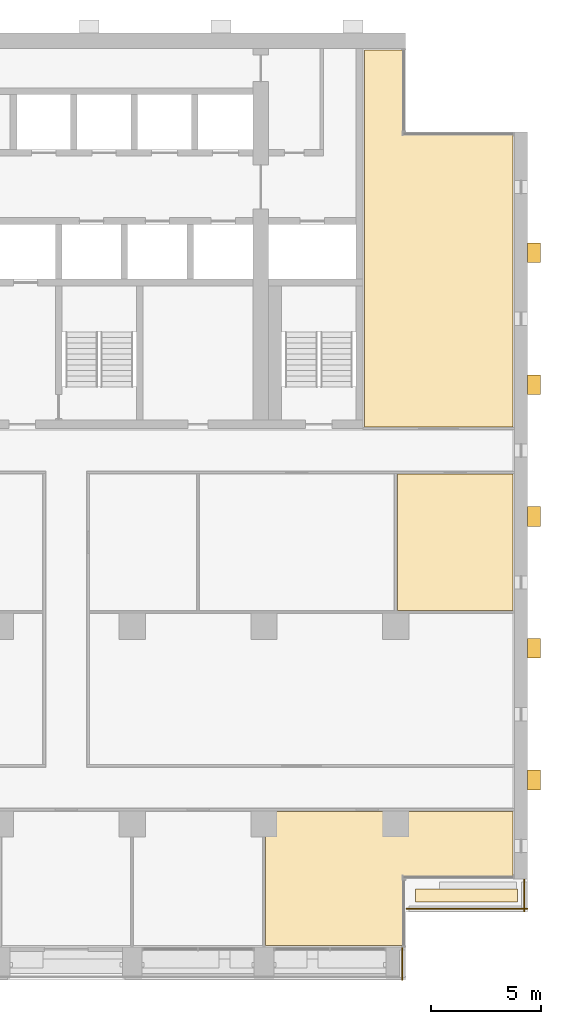
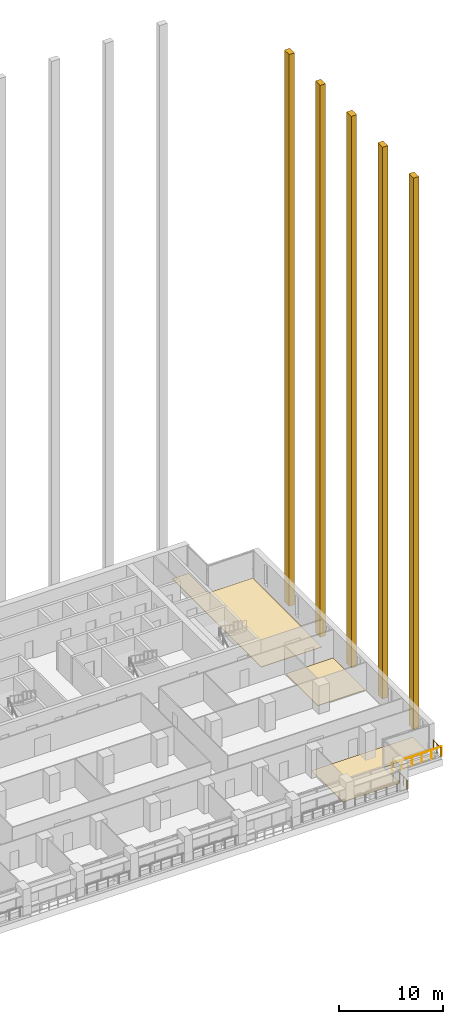
# One storey, part 18 of 19: 9 coverings, 3 railings.
"""IFC4 building model written with IfcOpenShell, lengths in metres."""

import ifcopenshell
import ifcopenshell.guid

model = None  # the IFC model being written
_history = None  # IfcOwnerHistory: only IFC2X3 demands one
_inside = {}  # id of a spatial element -> (the spatial element, [elements in it])
_under = {}  # id of a project, library or spatial element -> (it, [spatial elements below it])
_declared = {}  # id of a project -> (the project, [libraries it declares])
_typed = {}  # id of a type object -> (the type object, [elements of that type])
_made_of = {}  # id of a material, layer set ... -> (it, [elements and type objects made of it])


def new_model(schema):
    """Start an empty IFC model of exactly this schema.

    Asked for "IFC4X3", IfcOpenShell would pick the latest addendum, in which some entities
    have other attributes; the version numbers below select the first issue.
    IFC2X3 requires an IfcOwnerHistory on every rooted entity: one is made here for all.
    """
    global model, _history
    if schema == "IFC4X3":
        model = ifcopenshell.file(schema_version=(4, 3, 0, 0))
    else:
        model = ifcopenshell.file(schema=schema)
    _inside.clear()
    _under.clear()
    _declared.clear()
    _typed.clear()
    _made_of.clear()
    _history = None
    if model.schema == "IFC2X3":
        org = make("IfcOrganization", Name="unknown")
        user = make(
            "IfcPersonAndOrganization",
            ThePerson=make("IfcPerson", FamilyName="unknown"),
            TheOrganization=org,
        )
        app = make(
            "IfcApplication",
            ApplicationDeveloper=org,
            Version="unknown",
            ApplicationFullName="unknown",
            ApplicationIdentifier="unknown",
        )
        _history = make(
            "IfcOwnerHistory",
            OwningUser=user,
            OwningApplication=app,
            ChangeAction="ADDED",
            CreationDate=0,
        )
    return model


def make(cls, **values):
    """One entity of the class cls with the attributes given. An attribute that is None is left unset."""
    return model.create_entity(
        cls, **{name: value for name, value in values.items() if value is not None}
    )


def rooted(cls, **values):
    """An entity with a GlobalId (a new one), such as an element, a storey or a relation."""
    return make(cls, GlobalId=ifcopenshell.guid.new(), OwnerHistory=_history, **values)


def si_unit(unit_type, name, prefix=None):
    """IfcSIUnit, for example si_unit("LENGTHUNIT", "METRE", prefix="MILLI")."""
    return make("IfcSIUnit", UnitType=unit_type, Prefix=prefix, Name=name)


def assignment(units):
    """IfcUnitAssignment: the units of a project."""
    return None if units is None else make("IfcUnitAssignment", Units=units)


def point(xyz):
    """IfcCartesianPoint."""
    return None if xyz is None else make("IfcCartesianPoint", Coordinates=xyz)


def direction(xyz):
    """IfcDirection."""
    return None if xyz is None else make("IfcDirection", DirectionRatios=xyz)


def frame(location, z_axis=None, x_axis=None):
    """IfcAxis2Placement3D, a coordinate frame: its origin and axes. An axis left out is left unset."""
    return make(
        "IfcAxis2Placement3D",
        Location=point(location),
        Axis=direction(z_axis),
        RefDirection=direction(x_axis),
    )


def frame_2d(location, x_axis=None):
    """IfcAxis2Placement2D, a coordinate frame in the plane: its origin and x axis."""
    return make(
        "IfcAxis2Placement2D", Location=point(location), RefDirection=direction(x_axis)
    )


def origin():
    """The frame at (0, 0, 0) with its axes left unset."""
    return frame((0.0, 0.0, 0.0))


def origin_2d():
    """The frame at (0, 0) in the plane with its x axis left unset."""
    return frame_2d((0.0, 0.0))


def place(relative_to, where):
    """IfcLocalPlacement: puts the frame where relative to a parent placement (None: the world)."""
    return make(
        "IfcLocalPlacement", PlacementRelTo=relative_to, RelativePlacement=where
    )


def context(
    kind, dimensions, precision=None, world=None, true_north=None, identifier=None
):
    """IfcGeometricRepresentationContext, for example the 3D "Model" context."""
    return make(
        "IfcGeometricRepresentationContext",
        ContextIdentifier=identifier,
        ContextType=kind,
        CoordinateSpaceDimension=dimensions,
        Precision=precision,
        WorldCoordinateSystem=world,
        TrueNorth=true_north,
    )


def subcontext(parent, identifier, kind, view, scale=None):
    """IfcGeometricRepresentationSubContext, for example "Body" below "Model"."""
    return make(
        "IfcGeometricRepresentationSubContext",
        ContextIdentifier=identifier,
        ContextType=kind,
        ParentContext=parent,
        TargetScale=scale,
        TargetView=view,
    )


def project(units=None, contexts=None):
    """IfcProject with its units and contexts."""
    return rooted(
        "IfcProject",
        Name="project",
        RepresentationContexts=contexts,
        UnitsInContext=assignment(units),
    )


def spatial(cls, under=None, at=None, **own):
    """A site, building, storey or space (cls), placed at a placement, below another one or the project."""
    s = rooted(cls, ObjectPlacement=at, **own)
    if under is not None:
        _under.setdefault(under.id(), (under, []))[1].append(s)
    return s


def polyline(points):
    """IfcPolyline through the points."""
    return make("IfcPolyline", Points=[point(p) for p in points])


def profile(cls, at=None, kind="AREA", **sizes):
    """A parametric profile (cls). Its sizes go by their IFC names, for example OverallWidth=200.0."""
    return make(cls, ProfileType=kind, Position=at, **sizes)


def circle(**sizes):
    """IfcCircleProfileDef."""
    return profile("IfcCircleProfileDef", **sizes)


def outline(outer, holes=None, kind="AREA"):
    """IfcArbitraryClosedProfileDef: a profile drawn as a closed curve; with holes, ...WithVoids."""
    if holes is None:
        return make("IfcArbitraryClosedProfileDef", ProfileType=kind, OuterCurve=outer)
    return make(
        "IfcArbitraryProfileDefWithVoids",
        ProfileType=kind,
        OuterCurve=outer,
        InnerCurves=holes,
    )


def extrude(swept, where, along, depth):
    """IfcExtrudedAreaSolid: the profile swept, set in the frame where, extruded along a direction by depth."""
    return make(
        "IfcExtrudedAreaSolid",
        SweptArea=swept,
        Position=where,
        ExtrudedDirection=direction(along),
        Depth=depth,
    )


def shape(context_of_items, identifier, shape_type, items):
    """IfcShapeRepresentation: the items that make up one representation, for example the "Body"."""
    return make(
        "IfcShapeRepresentation",
        ContextOfItems=context_of_items,
        RepresentationIdentifier=identifier,
        RepresentationType=shape_type,
        Items=items,
    )


def material(Name=None, Category=None):
    """IfcMaterial."""
    return make("IfcMaterial", Name=Name, Category=Category)


def layer(
    of_material, thickness, ventilated=None, Name=None, Category=None, Priority=None
):
    """IfcMaterialLayer: one layer of a wall or slab, of a material (None: an air gap)."""
    return make(
        "IfcMaterialLayer",
        Material=of_material,
        LayerThickness=thickness,
        IsVentilated=ventilated,
        Name=Name,
        Category=Category,
        Priority=Priority,
    )


def layer_set(layers, Name=None):
    """IfcMaterialLayerSet."""
    return make("IfcMaterialLayerSet", MaterialLayers=layers, LayerSetName=Name)


def made_of(thing, what):
    """Note that an element or type object is made of a material, layer set ...; save() writes the relation."""
    if what is not None:
        _made_of.setdefault(what.id(), (what, []))[1].append(thing)
    return thing


def type_object(cls, material=None, **own):
    """A type object (cls), such as IfcWallType, which elements share."""
    return made_of(rooted(cls, **own), material)


def element(
    cls,
    number,
    at=None,
    inside=None,
    cuts=None,
    type_object=None,
    material=None,
    context=None,
    identifier="Body",
    shape_type=None,
    held_by="IfcProductDefinitionShape",
    body=None,
    shapes=None,
    **own,
):
    """One element of the class cls, such as IfcWall. Its Tag is "e" and its number.

    at: its placement. inside: the storey or other place that contains it. cuts: it is an
    opening in that element (IfcRelVoidsElement). A single representation is given by context,
    identifier, shape_type and body (its items); several are given by shapes. held_by: the class
    of the entity that holds the representations. save() writes the other relations.
    """
    e = rooted(cls, Tag="e%d" % number, ObjectPlacement=at, **own)
    if body is not None:
        shapes = [shape(context, identifier, shape_type, body)]
    if shapes is not None:
        e.Representation = make(held_by, Representations=shapes)
    if inside is not None:
        _inside.setdefault(inside.id(), (inside, []))[1].append(e)
    if cuts is not None:
        rooted(
            "IfcRelVoidsElement", RelatingBuildingElement=cuts, RelatedOpeningElement=e
        )
    if type_object is not None:
        _typed.setdefault(type_object.id(), (type_object, []))[1].append(e)
    return made_of(e, material)


def aggregate(whole, parts):
    """IfcRelAggregates: a whole, such as a stair, and the parts it consists of."""
    return rooted("IfcRelAggregates", RelatingObject=whole, RelatedObjects=parts)


def save(model, path):
    """Write the relations noted so far, then the file.

    IfcRelAggregates (storeys below a building ...), IfcRelContainedInSpatialStructure (elements
    in a storey), IfcRelDefinesByType, IfcRelAssociatesMaterial and IfcRelDeclares: one each for
    every whole, place, type object, material and project.
    """
    for whole, parts in _under.values():
        aggregate(whole, parts)
    for where, things in _inside.values():
        rooted(
            "IfcRelContainedInSpatialStructure",
            RelatedElements=things,
            RelatingStructure=where,
        )
    for kind, things in _typed.values():
        rooted("IfcRelDefinesByType", RelatedObjects=things, RelatingType=kind)
    for what, things in _made_of.values():
        rooted("IfcRelAssociatesMaterial", RelatedObjects=things, RelatingMaterial=what)
    for by, libraries in _declared.values():
        rooted("IfcRelDeclares", RelatingContext=by, RelatedDefinitions=libraries)
    model.write(path)


model = new_model("IFC4")

# Units and contexts
model_context = context("Model", 3, precision=1e-05, world=origin(), true_north=direction((0.0, 1.0)))
body_context = subcontext(model_context, "Body", "Model", "MODEL_VIEW")
ifc_project = project(units=[si_unit("LENGTHUNIT", "METRE"), si_unit("AREAUNIT", "SQUARE_METRE"), si_unit("VOLUMEUNIT", "CUBIC_METRE"), si_unit("PLANEANGLEUNIT", "RADIAN"), si_unit("MASSUNIT", "GRAM", prefix="KILO")], contexts=[model_context])

# Site, building, storey
site_placement = place(None, origin())
site = spatial("IfcSite", under=ifc_project, at=site_placement, CompositionType="ELEMENT")
building_placement = place(site_placement, origin())
building = spatial("IfcBuilding", under=site, at=building_placement, Name="Calvaro Tower", CompositionType="ELEMENT")
storey_placement = place(building_placement, frame((0.0, 0.0, 166.75)))
storey = spatial("IfcBuildingStorey", under=building, at=storey_placement, Name="L41", CompositionType="ELEMENT", Elevation=166.75)

# Coverings
ifc_material_1 = material(Name="Cement screed with carpet tile finish")
ifc_layer_1 = layer(ifc_material_1, 0.050048828125)
ifc_layer_set_1 = layer_set([ifc_layer_1], Name="Cement screed with carpet tile finish")
covering_type_1 = type_object("IfcCoveringType", Name="Floor finish 50", PredefinedType="FLOORING", material=ifc_layer_set_1)
covering_1_placement = place(storey_placement, origin())
element("IfcCovering", 1, at=covering_1_placement, inside=storey, type_object=covering_type_1, Name="Floor finish 42.08", PredefinedType="FLOORING", context=body_context, shape_type="SweptSolid", body=[
    extrude(outline(polyline([(60.070068359375, 4.469970703125), (60.070068359375, 10.580078125), (71.330078125, 10.580078125), (71.330078125, 7.570068359375), (66.3798828125, 7.570068359375), (66.3798828125, 4.469970703125), (60.070068359375, 4.469970703125)])), origin(), (0.0, 0.0, 1.0), 0.050048828125),
])
covering_2_placement = place(storey_placement, origin())
element("IfcCovering", 2, at=covering_2_placement, inside=storey, type_object=covering_type_1, Name="Floor finish 42.19", PredefinedType="FLOORING", context=body_context, shape_type="SweptSolid", body=[
    extrude(outline(polyline([(71.330078125, 25.929931640625), (71.330078125, 19.719970703125), (66.070068359375, 19.719970703125), (66.070068359375, 25.929931640625), (71.330078125, 25.929931640625)])), origin(), (0.0, 0.0, 1.0), 0.050048828125),
])
covering_3_placement = place(storey_placement, origin())
element("IfcCovering", 3, at=covering_3_placement, inside=storey, type_object=covering_type_1, Name="Floor finish 42.20", PredefinedType="FLOORING", context=body_context, shape_type="SweptSolid", body=[
    extrude(outline(polyline([(66.3798828125, 45.22998046875), (66.3798828125, 41.429931640625), (71.330078125, 41.429931640625), (71.330078125, 28.070068359375), (64.570068359375, 28.070068359375), (64.570068359375, 45.22998046875), (66.3798828125, 45.22998046875)])), origin(), (0.0, 0.0, 1.0), 0.050048828125),
])

# Railings
ifc_material_2 = material(Name="Stainless steel", Category="steel")
railing_type = type_object("IfcRailingType", Name="Guard 1100", PredefinedType="GUARDRAIL", material=ifc_material_2)
railing_1_placement = place(storey_placement, frame((71.85009765625, 7.47998046875, 0.300048828125)))
element("IfcRailing", 4, at=railing_1_placement, inside=storey, type_object=railing_type, Name="Terrace guard", PredefinedType="GUARDRAIL", context=body_context, shape_type="SweptSolid", body=[
    extrude(circle(Radius=0.02392578125, at=origin_2d()), frame((0.0, 0.0, 1.076171875), z_axis=(0.0, -1.0, 0.0), x_axis=(1.0, 0.0, 0.0)), (0.0, 0.0, 1.0), 1.47998046875),
    extrude(circle(Radius=0.02099609375, at=origin_2d()), frame((0.0, -0.02099609375, 0.0)), (0.0, 0.0, 1.0), 1.052001953125),
    extrude(circle(Radius=0.02099609375, at=origin_2d()), frame((0.0, -0.739990234375, 0.0)), (0.0, 0.0, 1.0), 1.052001953125),
    extrude(circle(Radius=0.02099609375, at=origin_2d()), frame((0.0, -1.458984375, 0.0)), (0.0, 0.0, 1.0), 1.052001953125),
])
railing_2_placement = place(storey_placement, frame((72.0, 6.14990234375, 0.300048828125)))
element("IfcRailing", 5, at=railing_2_placement, inside=storey, type_object=railing_type, Name="Terrace guard", PredefinedType="GUARDRAIL", context=body_context, shape_type="SweptSolid", body=[
    extrude(circle(Radius=0.02392578125, at=origin_2d()), frame((0.0, 0.0, 1.076171875), z_axis=(-1.0, 0.0, 0.0), x_axis=(0.0, -1.0, 0.0)), (0.0, 0.0, 1.0), 5.530029296875),
    extrude(circle(Radius=0.02099609375, at=origin_2d()), frame((-0.02099609375, 0.0, 0.0)), (0.0, 0.0, 1.0), 1.052001953125),
    extrude(circle(Radius=0.02099609375, at=origin_2d()), frame((-1.10595703125, 0.0, 0.0)), (0.0, 0.0, 1.0), 1.052001953125),
    extrude(circle(Radius=0.02099609375, at=origin_2d()), frame((-2.2119140625, 0.0, 0.0)), (0.0, 0.0, 1.0), 1.052001953125),
    extrude(circle(Radius=0.02099609375, at=origin_2d()), frame((-3.318115234375, 0.0, 0.0)), (0.0, 0.0, 1.0), 1.052001953125),
    extrude(circle(Radius=0.02099609375, at=origin_2d()), frame((-4.424072265625, 0.0, 0.0)), (0.0, 0.0, 1.0), 1.052001953125),
    extrude(circle(Radius=0.02099609375, at=origin_2d()), frame((-5.509033203125, 0.0, 0.0)), (0.0, 0.0, 1.0), 1.052001953125),
])
railing_3_placement = place(storey_placement, frame((66.300048828125, 4.3798828125, 0.300048828125)))
element("IfcRailing", 6, at=railing_3_placement, inside=storey, type_object=railing_type, Name="Terrace guard", PredefinedType="GUARDRAIL", context=body_context, shape_type="SweptSolid", body=[
    extrude(circle(Radius=0.02392578125, at=origin_2d()), frame((0.0, 0.0, 1.076171875), z_axis=(0.0, -1.0, 0.0), x_axis=(1.0, 0.0, 0.0)), (0.0, 0.0, 1.0), 1.47998046875),
    extrude(circle(Radius=0.02099609375, at=origin_2d()), frame((0.0, -0.02099609375, 0.0)), (0.0, 0.0, 1.0), 1.052001953125),
    extrude(circle(Radius=0.02099609375, at=origin_2d()), frame((0.0, -0.739990234375, 0.0)), (0.0, 0.0, 1.0), 1.052001953125),
    extrude(circle(Radius=0.02099609375, at=origin_2d()), frame((0.0, -1.458984375, 0.0)), (0.0, 0.0, 1.0), 1.052001953125),
])

# Coverings
ifc_material_3 = material(Name="Reconstituted stone", Category="masonry")
ifc_layer_2 = layer(ifc_material_3, 0.60009765625)
ifc_layer_set_2 = layer_set([ifc_layer_2], Name="Reconstituted stone")
covering_type_2 = type_object("IfcCoveringType", Name="Stone pilaster 900 x 600", PredefinedType="CLADDING", material=ifc_layer_set_2)
covering_4_placement = place(storey_placement, frame((0.0, 0.0, 0.050048828125)))
element("IfcCovering", 7, at=covering_4_placement, inside=storey, type_object=covering_type_2, Name="Stone pilaster", PredefinedType="CLADDING", context=body_context, shape_type="SweptSolid", body=[
    extrude(outline(polyline([(72.0, 11.550048828125), (72.60009765625, 11.550048828125), (72.60009765625, 12.449951171875), (72.0, 12.449951171875), (72.0, 11.550048828125)])), origin(), (0.0, 0.0, 1.0), 64.949951171875),
])
covering_5_placement = place(storey_placement, frame((0.0, 0.0, 0.050048828125)))
element("IfcCovering", 8, at=covering_5_placement, inside=storey, type_object=covering_type_2, Name="Stone pilaster", PredefinedType="CLADDING", context=body_context, shape_type="SweptSolid", body=[
    extrude(outline(polyline([(72.0, 17.550048828125), (72.60009765625, 17.550048828125), (72.60009765625, 18.449951171875), (72.0, 18.449951171875), (72.0, 17.550048828125)])), origin(), (0.0, 0.0, 1.0), 64.949951171875),
])
covering_6_placement = place(storey_placement, frame((0.0, 0.0, 0.050048828125)))
element("IfcCovering", 9, at=covering_6_placement, inside=storey, type_object=covering_type_2, Name="Stone pilaster", PredefinedType="CLADDING", context=body_context, shape_type="SweptSolid", body=[
    extrude(outline(polyline([(72.0, 23.550048828125), (72.60009765625, 23.550048828125), (72.60009765625, 24.449951171875), (72.0, 24.449951171875), (72.0, 23.550048828125)])), origin(), (0.0, 0.0, 1.0), 64.949951171875),
])
covering_7_placement = place(storey_placement, frame((0.0, 0.0, 0.050048828125)))
element("IfcCovering", 10, at=covering_7_placement, inside=storey, type_object=covering_type_2, Name="Stone pilaster", PredefinedType="CLADDING", context=body_context, shape_type="SweptSolid", body=[
    extrude(outline(polyline([(72.0, 29.550048828125), (72.60009765625, 29.550048828125), (72.60009765625, 30.449951171875), (72.0, 30.449951171875), (72.0, 29.550048828125)])), origin(), (0.0, 0.0, 1.0), 64.949951171875),
])
covering_8_placement = place(storey_placement, frame((0.0, 0.0, 0.050048828125)))
element("IfcCovering", 11, at=covering_8_placement, inside=storey, type_object=covering_type_2, Name="Stone pilaster", PredefinedType="CLADDING", context=body_context, shape_type="SweptSolid", body=[
    extrude(outline(polyline([(72.0, 35.550048828125), (72.60009765625, 35.550048828125), (72.60009765625, 36.449951171875), (72.0, 36.449951171875), (72.0, 35.550048828125)])), origin(), (0.0, 0.0, 1.0), 64.949951171875),
])
ifc_material_4 = material(Name="Single ply membrane")
ifc_layer_3 = layer(ifc_material_4, 0.050048828125)
ifc_layer_set_3 = layer_set([ifc_layer_3], Name="Single ply membrane")
covering_type_3 = type_object("IfcCoveringType", Name="Terrace roofing 50", PredefinedType="ROOFING", material=ifc_layer_set_3)
covering_9_placement = place(storey_placement, origin())
element("IfcCovering", 12, at=covering_9_placement, inside=storey, type_object=covering_type_3, Name="Terrace roofing", PredefinedType="ROOFING", context=body_context, shape_type="SweptSolid", body=[
    extrude(outline(polyline([(71.550048828125, 6.449951171875), (66.89990234375, 6.449951171875), (66.89990234375, 7.050048828125), (71.550048828125, 7.050048828125), (71.550048828125, 6.449951171875)])), origin(), (0.0, 0.0, 1.0), 0.050048828125),
])

save(model, "model.ifc")
